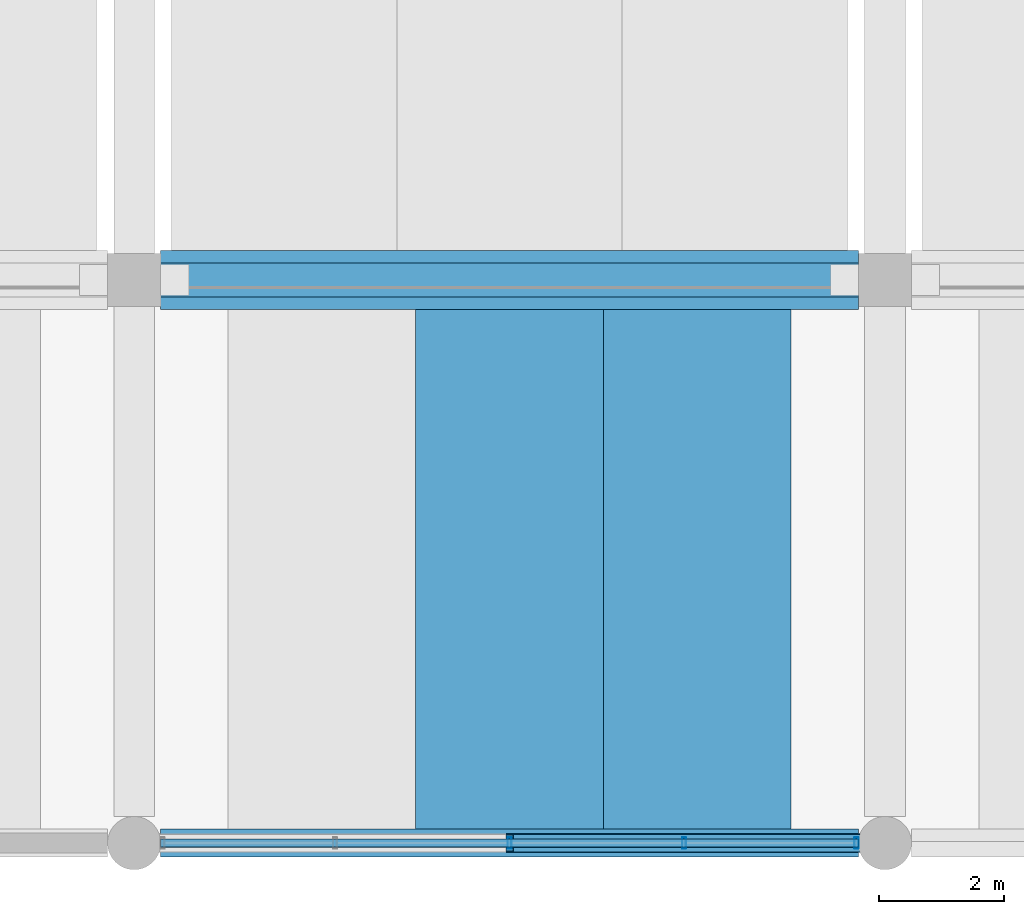
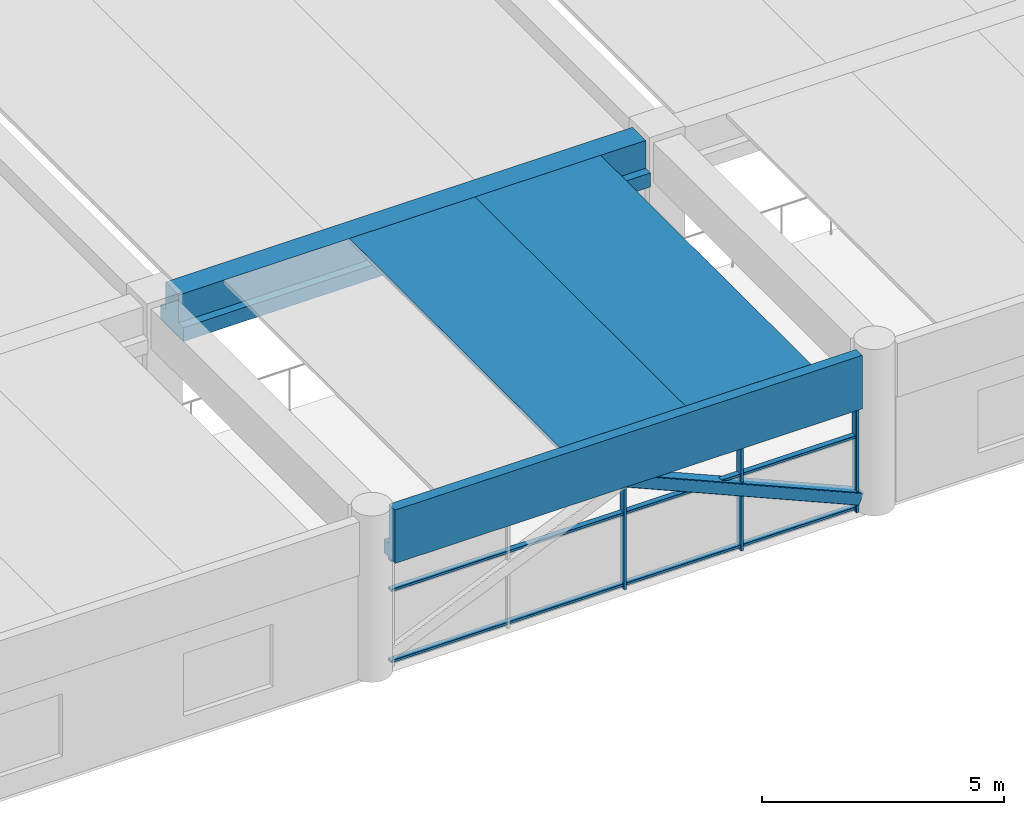
# One storey, part 7 of 50: 7 members, 4 beams, 1 element without a shape of its own.
"""IFC4 building model written with IfcOpenShell, lengths in metres."""

import ifcopenshell
import ifcopenshell.guid

model = None  # the IFC model being written
_history = None  # IfcOwnerHistory: only IFC2X3 demands one
_inside = {}  # id of a spatial element -> (the spatial element, [elements in it])
_under = {}  # id of a project, library or spatial element -> (it, [spatial elements below it])
_declared = {}  # id of a project -> (the project, [libraries it declares])
_typed = {}  # id of a type object -> (the type object, [elements of that type])
_made_of = {}  # id of a material, layer set ... -> (it, [elements and type objects made of it])


def new_model(schema):
    """Start an empty IFC model of exactly this schema.

    Asked for "IFC4X3", IfcOpenShell would pick the latest addendum, in which some entities
    have other attributes; the version numbers below select the first issue.
    IFC2X3 requires an IfcOwnerHistory on every rooted entity: one is made here for all.
    """
    global model, _history
    if schema == "IFC4X3":
        model = ifcopenshell.file(schema_version=(4, 3, 0, 0))
    else:
        model = ifcopenshell.file(schema=schema)
    _inside.clear()
    _under.clear()
    _declared.clear()
    _typed.clear()
    _made_of.clear()
    _history = None
    if model.schema == "IFC2X3":
        org = make("IfcOrganization", Name="unknown")
        user = make(
            "IfcPersonAndOrganization",
            ThePerson=make("IfcPerson", FamilyName="unknown"),
            TheOrganization=org,
        )
        app = make(
            "IfcApplication",
            ApplicationDeveloper=org,
            Version="unknown",
            ApplicationFullName="unknown",
            ApplicationIdentifier="unknown",
        )
        _history = make(
            "IfcOwnerHistory",
            OwningUser=user,
            OwningApplication=app,
            ChangeAction="ADDED",
            CreationDate=0,
        )
    return model


def make(cls, **values):
    """One entity of the class cls with the attributes given. An attribute that is None is left unset."""
    return model.create_entity(
        cls, **{name: value for name, value in values.items() if value is not None}
    )


def rooted(cls, **values):
    """An entity with a GlobalId (a new one), such as an element, a storey or a relation."""
    return make(cls, GlobalId=ifcopenshell.guid.new(), OwnerHistory=_history, **values)


def si_unit(unit_type, name, prefix=None):
    """IfcSIUnit, for example si_unit("LENGTHUNIT", "METRE", prefix="MILLI")."""
    return make("IfcSIUnit", UnitType=unit_type, Prefix=prefix, Name=name)


def assignment(units):
    """IfcUnitAssignment: the units of a project."""
    return None if units is None else make("IfcUnitAssignment", Units=units)


def point(xyz):
    """IfcCartesianPoint."""
    return None if xyz is None else make("IfcCartesianPoint", Coordinates=xyz)


def direction(xyz):
    """IfcDirection."""
    return None if xyz is None else make("IfcDirection", DirectionRatios=xyz)


def frame(location, z_axis=None, x_axis=None):
    """IfcAxis2Placement3D, a coordinate frame: its origin and axes. An axis left out is left unset."""
    return make(
        "IfcAxis2Placement3D",
        Location=point(location),
        Axis=direction(z_axis),
        RefDirection=direction(x_axis),
    )


def frame_2d(location, x_axis=None):
    """IfcAxis2Placement2D, a coordinate frame in the plane: its origin and x axis."""
    return make(
        "IfcAxis2Placement2D", Location=point(location), RefDirection=direction(x_axis)
    )


def origin():
    """The frame at (0, 0, 0) with its axes left unset."""
    return frame((0.0, 0.0, 0.0))


def origin_2d():
    """The frame at (0, 0) in the plane with its x axis left unset."""
    return frame_2d((0.0, 0.0))


def place(relative_to, where):
    """IfcLocalPlacement: puts the frame where relative to a parent placement (None: the world)."""
    return make(
        "IfcLocalPlacement", PlacementRelTo=relative_to, RelativePlacement=where
    )


def context(
    kind, dimensions, precision=None, world=None, true_north=None, identifier=None
):
    """IfcGeometricRepresentationContext, for example the 3D "Model" context."""
    return make(
        "IfcGeometricRepresentationContext",
        ContextIdentifier=identifier,
        ContextType=kind,
        CoordinateSpaceDimension=dimensions,
        Precision=precision,
        WorldCoordinateSystem=world,
        TrueNorth=true_north,
    )


def subcontext(parent, identifier, kind, view, scale=None):
    """IfcGeometricRepresentationSubContext, for example "Body" below "Model"."""
    return make(
        "IfcGeometricRepresentationSubContext",
        ContextIdentifier=identifier,
        ContextType=kind,
        ParentContext=parent,
        TargetScale=scale,
        TargetView=view,
    )


def project(units=None, contexts=None):
    """IfcProject with its units and contexts."""
    return rooted(
        "IfcProject",
        Name="project",
        RepresentationContexts=contexts,
        UnitsInContext=assignment(units),
    )


def spatial(cls, under=None, at=None, **own):
    """A site, building, storey or space (cls), placed at a placement, below another one or the project."""
    s = rooted(cls, ObjectPlacement=at, **own)
    if under is not None:
        _under.setdefault(under.id(), (under, []))[1].append(s)
    return s


def polyline(points):
    """IfcPolyline through the points."""
    return make("IfcPolyline", Points=[point(p) for p in points])


def profile(cls, at=None, kind="AREA", **sizes):
    """A parametric profile (cls). Its sizes go by their IFC names, for example OverallWidth=200.0."""
    return make(cls, ProfileType=kind, Position=at, **sizes)


def hollow_rectangle(**sizes):
    """IfcRectangleHollowProfileDef."""
    return profile("IfcRectangleHollowProfileDef", **sizes)


def outline(outer, holes=None, kind="AREA"):
    """IfcArbitraryClosedProfileDef: a profile drawn as a closed curve; with holes, ...WithVoids."""
    if holes is None:
        return make("IfcArbitraryClosedProfileDef", ProfileType=kind, OuterCurve=outer)
    return make(
        "IfcArbitraryProfileDefWithVoids",
        ProfileType=kind,
        OuterCurve=outer,
        InnerCurves=holes,
    )


def extrude(swept, where, along, depth):
    """IfcExtrudedAreaSolid: the profile swept, set in the frame where, extruded along a direction by depth."""
    return make(
        "IfcExtrudedAreaSolid",
        SweptArea=swept,
        Position=where,
        ExtrudedDirection=direction(along),
        Depth=depth,
    )


def shape(context_of_items, identifier, shape_type, items):
    """IfcShapeRepresentation: the items that make up one representation, for example the "Body"."""
    return make(
        "IfcShapeRepresentation",
        ContextOfItems=context_of_items,
        RepresentationIdentifier=identifier,
        RepresentationType=shape_type,
        Items=items,
    )


def material(Name=None, Category=None):
    """IfcMaterial."""
    return make("IfcMaterial", Name=Name, Category=Category)


def material_profile(
    of_material, cross_section, Name=None, Category=None, Priority=None
):
    """IfcMaterialProfile: a cross section and its material."""
    return make(
        "IfcMaterialProfile",
        Name=Name,
        Material=of_material,
        Profile=cross_section,
        Priority=Priority,
        Category=Category,
    )


def profile_set(profiles, Name=None, composite=None):
    """IfcMaterialProfileSet."""
    return make(
        "IfcMaterialProfileSet",
        Name=Name,
        MaterialProfiles=profiles,
        CompositeProfile=composite,
    )


def made_of(thing, what):
    """Note that an element or type object is made of a material, layer set ...; save() writes the relation."""
    if what is not None:
        _made_of.setdefault(what.id(), (what, []))[1].append(thing)
    return thing


def type_object(cls, material=None, **own):
    """A type object (cls), such as IfcWallType, which elements share."""
    return made_of(rooted(cls, **own), material)


def element(
    cls,
    number,
    at=None,
    inside=None,
    cuts=None,
    type_object=None,
    material=None,
    context=None,
    identifier="Body",
    shape_type=None,
    held_by="IfcProductDefinitionShape",
    body=None,
    shapes=None,
    **own,
):
    """One element of the class cls, such as IfcWall. Its Tag is "e" and its number.

    at: its placement. inside: the storey or other place that contains it. cuts: it is an
    opening in that element (IfcRelVoidsElement). A single representation is given by context,
    identifier, shape_type and body (its items); several are given by shapes. held_by: the class
    of the entity that holds the representations. save() writes the other relations.
    """
    e = rooted(cls, Tag="e%d" % number, ObjectPlacement=at, **own)
    if body is not None:
        shapes = [shape(context, identifier, shape_type, body)]
    if shapes is not None:
        e.Representation = make(held_by, Representations=shapes)
    if inside is not None:
        _inside.setdefault(inside.id(), (inside, []))[1].append(e)
    if cuts is not None:
        rooted(
            "IfcRelVoidsElement", RelatingBuildingElement=cuts, RelatedOpeningElement=e
        )
    if type_object is not None:
        _typed.setdefault(type_object.id(), (type_object, []))[1].append(e)
    return made_of(e, material)


def aggregate(whole, parts):
    """IfcRelAggregates: a whole, such as a stair, and the parts it consists of."""
    return rooted("IfcRelAggregates", RelatingObject=whole, RelatedObjects=parts)


def save(model, path):
    """Write the relations noted so far, then the file.

    IfcRelAggregates (storeys below a building ...), IfcRelContainedInSpatialStructure (elements
    in a storey), IfcRelDefinesByType, IfcRelAssociatesMaterial and IfcRelDeclares: one each for
    every whole, place, type object, material and project.
    """
    for whole, parts in _under.values():
        aggregate(whole, parts)
    for where, things in _inside.values():
        rooted(
            "IfcRelContainedInSpatialStructure",
            RelatedElements=things,
            RelatingStructure=where,
        )
    for kind, things in _typed.values():
        rooted("IfcRelDefinesByType", RelatedObjects=things, RelatingType=kind)
    for what, things in _made_of.values():
        rooted("IfcRelAssociatesMaterial", RelatedObjects=things, RelatingMaterial=what)
    for by, libraries in _declared.values():
        rooted("IfcRelDeclares", RelatingContext=by, RelatedDefinitions=libraries)
    model.write(path)


model = new_model("IFC4")

# Units and contexts
model_context = context("Model", 3, precision=1e-05, world=origin(), true_north=direction((0.0, 1.0)))
body_context = subcontext(model_context, "Body", "Model", "MODEL_VIEW")
ifc_project = project(units=[si_unit("LENGTHUNIT", "METRE"), si_unit("AREAUNIT", "SQUARE_METRE"), si_unit("VOLUMEUNIT", "CUBIC_METRE"), si_unit("PLANEANGLEUNIT", "RADIAN"), si_unit("MASSUNIT", "GRAM", prefix="KILO")], contexts=[model_context])

# Site, building, storey
site_placement = place(None, origin())
site = spatial("IfcSite", under=ifc_project, at=site_placement, CompositionType="ELEMENT")
building_placement = place(site_placement, origin())
building = spatial("IfcBuilding", under=site, at=building_placement, Name="Girod Span Mobility Hub", CompositionType="ELEMENT")
storey_placement = place(building_placement, frame((0.0, 0.0, 5.39990234375)))
storey = spatial("IfcBuildingStorey", under=building, at=storey_placement, Name="L01", CompositionType="ELEMENT", Elevation=5.39990234375)

# Beams
ifc_material_1 = material(Name="Concrete C50/60", Category="concrete")
ifc_material_profile_1 = material_profile(ifc_material_1, outline(polyline([(-1.5, 0.35009765625), (-1.5, 0.2548828125), (-0.840087890625, 0.2548828125), (-0.81494140625, -0.35009765625), (-0.68505859375, -0.35009765625), (-0.659912109375, 0.2548828125), (0.659912109375, 0.2548828125), (0.68505859375, -0.35009765625), (0.81494140625, -0.35009765625), (0.840087890625, 0.2548828125), (1.5, 0.2548828125), (1.5, 0.35009765625), (-1.5, 0.35009765625)])), Name="DT-3000X700")
ifc_profile_set_1 = profile_set([ifc_material_profile_1], Name="Concrete C50/60")
beam_type_1 = type_object("IfcBeamType", Name="BM-DT-3000X700", PredefinedType="JOIST", material=ifc_profile_set_1)
for number, where, z_axis, x_axis, name in (
    (1, (42.0, 0.02197265625, 3.690185546875), (0.0, 1.0, 0.0), (-1.0, 0.0, 0.0), "Double-Tee Deck 4/A-2 L01"),
    (2, (45.0, 0.02197265625, 3.690185546875), (0.0, 1.0, 0.0), (-1.0, 0.0, 0.0), "Double-Tee Deck 4/A-3 L01"),
):
    element("IfcBeam", number, at=place(storey_placement, frame(where, z_axis=z_axis, x_axis=x_axis)), inside=storey, type_object=beam_type_1, Name=name, PredefinedType="JOIST", context=body_context, shape_type="SweptSolid", body=[
        extrude(outline(polyline([(-1.5, 0.35009765625), (-1.5, 0.2548828125), (-0.840087890625, 0.2548828125), (-0.81494140625, -0.35009765625), (-0.68505859375, -0.35009765625), (-0.659912109375, 0.2548828125), (0.659912109375, 0.2548828125), (0.68505859375, -0.35009765625), (0.81494140625, -0.35009765625), (0.840087890625, 0.2548828125), (1.5, 0.2548828125), (1.5, 0.35009765625), (-1.5, 0.35009765625)])), origin(), (0.0, 0.0, 1.0), 8.7060546875),
    ])
ifc_material_2 = material(Name="Concrete C50/60", Category="concrete")
ifc_material_profile_2 = material_profile(ifc_material_2, outline(polyline([(-0.47509765625, -0.52490234375), (0.47509765625, -0.52490234375), (0.47509765625, -0.175048828125), (0.27490234375, -0.175048828125), (0.27490234375, 0.52490234375), (-0.27490234375, 0.52490234375), (-0.27490234375, -0.175048828125), (-0.47509765625, -0.175048828125), (-0.47509765625, -0.52490234375)])), Name="IT-950X1050")
ifc_profile_set_2 = profile_set([ifc_material_profile_2], Name="Concrete C50/60")
beam_type_2 = type_object("IfcBeamType", Name="BM-IT-950X1050", PredefinedType="T_BEAM", material=ifc_profile_set_2)
beam_1_placement = place(storey_placement, frame((36.422119140625, 9.0, 3.51513671875), z_axis=(1.0, 0.0, 0.0), x_axis=(0.0, 1.0, 0.0)))
element("IfcBeam", 3, at=beam_1_placement, inside=storey, type_object=beam_type_2, Name="Girder 4-5/B L01", PredefinedType="T_BEAM", context=body_context, shape_type="SweptSolid", body=[
    extrude(outline(polyline([(-0.47509765625, -0.52490234375), (0.47509765625, -0.52490234375), (0.47509765625, -0.175048828125), (0.27490234375, -0.175048828125), (0.27490234375, 0.52490234375), (-0.27490234375, 0.52490234375), (-0.27490234375, -0.175048828125), (-0.47509765625, -0.175048828125), (-0.47509765625, -0.52490234375)])), origin(), (0.0, 0.0, 1.0), 11.15576171875),
])
ifc_material_3 = material(Name="Concrete C40/50", Category="concrete")
ifc_material_profile_3 = material_profile(ifc_material_3, outline(polyline([(-0.22509765625, -0.675048828125), (0.22509765625, -0.675048828125), (0.22509765625, -0.324951171875), (0.02490234375, -0.324951171875), (0.02490234375, 0.675048828125), (-0.22509765625, 0.675048828125), (-0.22509765625, -0.675048828125)])), Name="SP-450X1350")
ifc_profile_set_3 = profile_set([ifc_material_profile_3], Name="Concrete C40/50")
beam_type_3 = type_object("IfcBeamType", Name="BM-SP-450X1350", PredefinedType="SPANDREL", material=ifc_profile_set_3)
beam_2_placement = place(storey_placement, frame((36.422119140625, 0.0, 3.364990234375), z_axis=(1.0, 0.0, 0.0), x_axis=(0.0, 1.0, 0.0)))
element("IfcBeam", 4, at=beam_2_placement, inside=storey, type_object=beam_type_3, Name="Girder 4-5/A L01", PredefinedType="SPANDREL", context=body_context, shape_type="SweptSolid", body=[
    extrude(outline(polyline([(-0.22509765625, -0.675048828125), (0.22509765625, -0.675048828125), (0.22509765625, -0.324951171875), (0.02490234375, -0.324951171875), (0.02490234375, 0.675048828125), (-0.22509765625, 0.675048828125), (-0.22509765625, -0.675048828125)])), origin(), (0.0, 0.0, 1.0), 11.15576171875),
])

# Curtain wall, members
ifc_material_4 = material(Name="Thermally Broken Anodised Aluminium", Category="aluminium")
curtain_wall_type = type_object("IfcCurtainWallType", Name="CW-1115X269", PredefinedType="USERDEFINED", material=ifc_material_4)
curtain_wall_placement = place(storey_placement, origin())
curtain_wall = element("IfcCurtainWall", 5, at=curtain_wall_placement, inside=storey, type_object=curtain_wall_type, Name="Concourse Storefront CW-L01-S04 L01", ObjectType="CONCOURSE STOREFRONT", PredefinedType="USERDEFINED")
ifc_material_5 = material(Name="Thermally Broken Anodised Aluminium", Category="aluminium")
ifc_material_profile_4 = material_profile(ifc_material_5, hollow_rectangle(XDim=0.179931640625, YDim=0.06494140625, WallThickness=0.00390625, InnerFilletRadius=0.00390625, OuterFilletRadius=0.008056640625, at=origin_2d()), Name="CW-ML-65X180")
ifc_profile_set_4 = profile_set([ifc_material_profile_4], Name="Thermally Broken Anodised Aluminium")
member_type_1 = type_object("IfcMemberType", Name="CWM-ML-2", PredefinedType="MULLION", material=ifc_profile_set_4)
member_1_placement = place(storey_placement, frame((42.0, 0.0, 0.0), z_axis=(0.0, 0.0, 1.0), x_axis=(0.0, 1.0, 0.0)))
member_1 = element("IfcMember", 6, at=member_1_placement, type_object=member_type_1, Name="Curtain Wall Mullion CW-L01-S04-M2", PredefinedType="MULLION", context=body_context, shape_type="SweptSolid", body=[
    extrude(hollow_rectangle(XDim=0.179931640625, YDim=0.06494140625, WallThickness=0.00390625, InnerFilletRadius=0.00390625, OuterFilletRadius=0.008056640625, at=origin_2d()), origin(), (0.0, 0.0, 1.0), 2.690185546875),
])
member_2_placement = place(storey_placement, frame((44.78857421875, 0.0, 0.0), z_axis=(0.0, 0.0, 1.0), x_axis=(0.0, 1.0, 0.0)))
member_2 = element("IfcMember", 7, at=member_2_placement, type_object=member_type_1, Name="Curtain Wall Mullion CW-L01-S04-M3", PredefinedType="MULLION", context=body_context, shape_type="SweptSolid", body=[
    extrude(hollow_rectangle(XDim=0.179931640625, YDim=0.06494140625, WallThickness=0.00390625, InnerFilletRadius=0.00390625, OuterFilletRadius=0.008056640625, at=origin_2d()), origin(), (0.0, 0.0, 1.0), 2.690185546875),
])
member_3_placement = place(storey_placement, frame((47.544921875, 0.0, 0.0), z_axis=(0.0, 0.0, 1.0), x_axis=(0.0, 1.0, 0.0)))
member_3 = element("IfcMember", 8, at=member_3_placement, type_object=member_type_1, Name="Curtain Wall Mullion CW-L01-S04-M4", PredefinedType="MULLION", context=body_context, shape_type="SweptSolid", body=[
    extrude(hollow_rectangle(XDim=0.179931640625, YDim=0.06494140625, WallThickness=0.00390625, InnerFilletRadius=0.00390625, OuterFilletRadius=0.008056640625, at=origin_2d()), origin(), (0.0, 0.0, 1.0), 2.690185546875),
])
ifc_material_6 = material(Name="Thermally Broken Anodised Aluminium", Category="aluminium")
ifc_material_profile_5 = material_profile(ifc_material_6, hollow_rectangle(XDim=0.135009765625, YDim=0.06494140625, WallThickness=0.00390625, InnerFilletRadius=0.00390625, OuterFilletRadius=0.008056640625, at=origin_2d()), Name="CW-TR-65X135")
ifc_profile_set_5 = profile_set([ifc_material_profile_5], Name="Thermally Broken Anodised Aluminium")
member_type_2 = type_object("IfcMemberType", Name="CWM-TR-2", PredefinedType="USERDEFINED", material=ifc_profile_set_5)
member_4_placement = place(storey_placement, frame((36.423095703125, 0.0, 0.107666015625), z_axis=(1.0, 0.0, 0.0), x_axis=(0.0, 1.0, 0.0)))
member_4 = element("IfcMember", 9, at=member_4_placement, type_object=member_type_2, Name="Curtain Wall Transom CW-L01-S04-T1", ObjectType="TRANSOM", PredefinedType="USERDEFINED", context=body_context, shape_type="SweptSolid", body=[
    extrude(hollow_rectangle(XDim=0.135009765625, YDim=0.06494140625, WallThickness=0.00390625, InnerFilletRadius=0.00390625, OuterFilletRadius=0.008056640625, at=origin_2d()), origin(), (0.0, 0.0, 1.0), 11.15380859375),
])
member_5_placement = place(storey_placement, frame((36.423095703125, 0.0, 1.904296875), z_axis=(1.0, 0.0, 0.0), x_axis=(0.0, 1.0, 0.0)))
member_5 = element("IfcMember", 10, at=member_5_placement, type_object=member_type_2, Name="Curtain Wall Transom CW-L01-S04-T2", ObjectType="TRANSOM", PredefinedType="USERDEFINED", context=body_context, shape_type="SweptSolid", body=[
    extrude(hollow_rectangle(XDim=0.135009765625, YDim=0.06494140625, WallThickness=0.00390625, InnerFilletRadius=0.00390625, OuterFilletRadius=0.008056640625, at=origin_2d()), origin(), (0.0, 0.0, 1.0), 11.15380859375),
])
member_6_placement = place(storey_placement, frame((36.423095703125, 0.0, 2.65771484375), z_axis=(1.0, 0.0, 0.0), x_axis=(0.0, 1.0, 0.0)))
member_6 = element("IfcMember", 11, at=member_6_placement, type_object=member_type_2, Name="Curtain Wall Transom CW-L01-S04-T3", ObjectType="TRANSOM", PredefinedType="USERDEFINED", context=body_context, shape_type="SweptSolid", body=[
    extrude(hollow_rectangle(XDim=0.135009765625, YDim=0.06494140625, WallThickness=0.00390625, InnerFilletRadius=0.00390625, OuterFilletRadius=0.008056640625, at=origin_2d()), origin(), (0.0, 0.0, 1.0), 11.15380859375),
])
aggregate(curtain_wall, [member_1, member_2, member_3, member_4, member_5, member_6])

# Member
ifc_material_7 = material(Name="Steel HSS A500 Grade C", Category="steel")
ifc_material_profile_6 = material_profile(ifc_material_7, hollow_rectangle(XDim=0.304931640625, YDim=0.304931640625, WallThickness=0.014892578125, InnerFilletRadius=0.014892578125, OuterFilletRadius=0.029541015625, at=origin_2d()), Name="HSS305X305X16")
ifc_profile_set_6 = profile_set([ifc_material_profile_6], Name="Steel HSS A500 Grade C")
member_type_3 = type_object("IfcMemberType", Name="MB-BR-HSS305", PredefinedType="BRACE", material=ifc_profile_set_6)
member_7_placement = place(storey_placement, frame((47.594970703125, 0.0, 0.35009765625), z_axis=(-0.917828641156, 0.0, 0.396976807223), x_axis=(0.0, -1.0, 0.0)))
element("IfcMember", 12, at=member_7_placement, inside=storey, type_object=member_type_3, Name="Perimeter Chevron Brace 4/A-R L01", PredefinedType="BRACE", context=body_context, shape_type="SweptSolid", body=[
    extrude(hollow_rectangle(XDim=0.304931640625, YDim=0.304931640625, WallThickness=0.014892578125, InnerFilletRadius=0.014892578125, OuterFilletRadius=0.029541015625, at=origin_2d()), origin(), (0.0, 0.0, 1.0), 6.095947265625),
])

save(model, "model.ifc")
